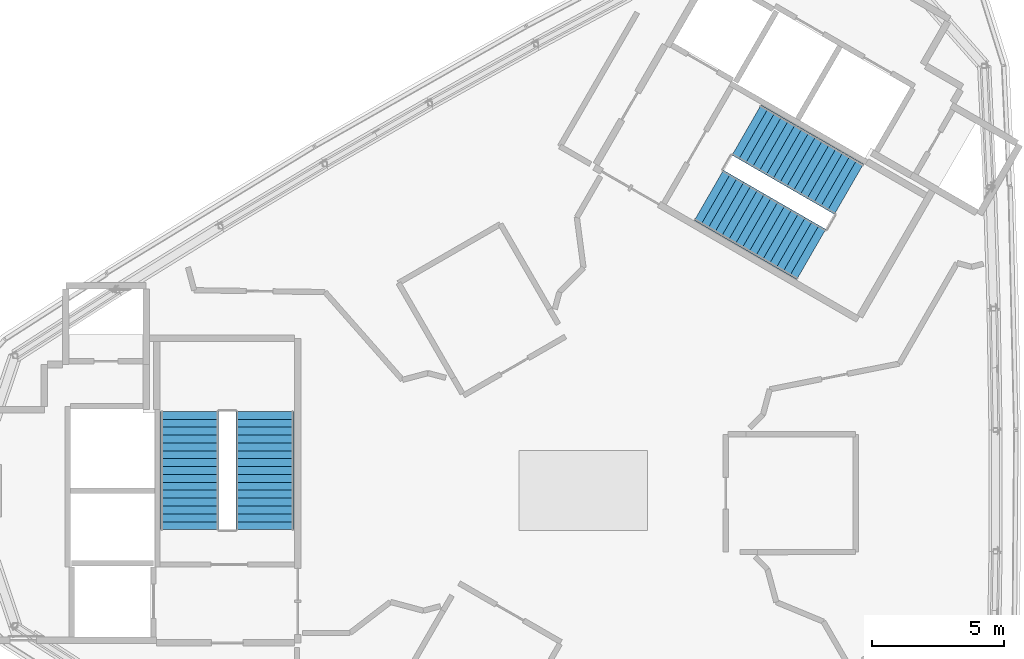
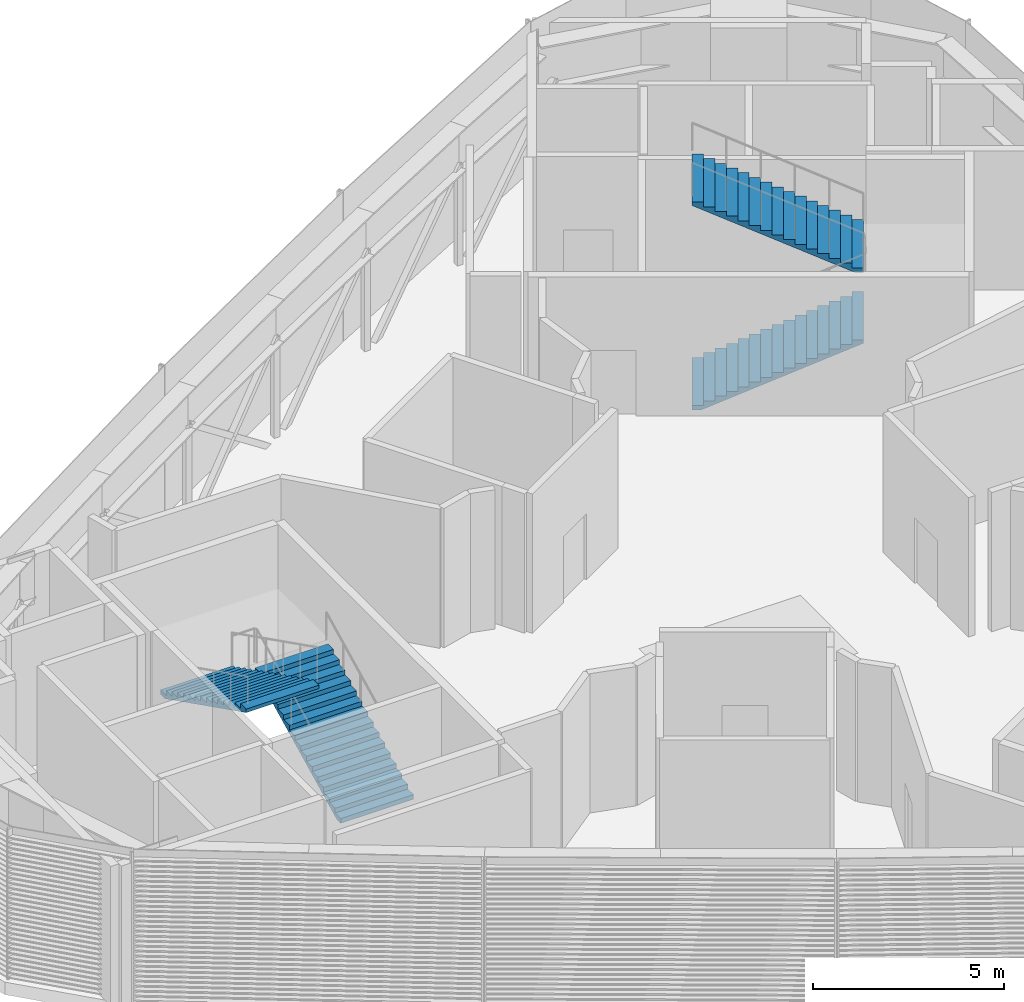
# One storey, part 18 of 21: 4 stair flights, 2 elements without a shape of their own.
"""IFC4 building model written with IfcOpenShell, lengths in metres."""

from ifc_helpers import new_model, si_unit, direction, frame, origin, place, context, subcontext, project, spatial, polyline, outline, extrude, material, type_object, element, aggregate, save


model = new_model("IFC4")

# Units and contexts
model_context = context("Model", 3, precision=1e-05, world=origin(), true_north=direction((0.0, 1.0)))
body_context = subcontext(model_context, "Body", "Model", "MODEL_VIEW")
ifc_project = project(units=[si_unit("LENGTHUNIT", "METRE"), si_unit("AREAUNIT", "SQUARE_METRE"), si_unit("VOLUMEUNIT", "CUBIC_METRE"), si_unit("PLANEANGLEUNIT", "RADIAN"), si_unit("MASSUNIT", "GRAM", prefix="KILO")], contexts=[model_context])

# Site, building, storey
site_placement = place(None, origin())
site = spatial("IfcSite", under=ifc_project, at=site_placement, CompositionType="ELEMENT")
building_placement = place(site_placement, origin())
building = spatial("IfcBuilding", under=site, at=building_placement, Name="Tamra Quay Hotel Tower", CompositionType="ELEMENT")
storey_placement = place(building_placement, frame((0.0, 0.0, 301.800048828125)))
storey = spatial("IfcBuildingStorey", under=building, at=storey_placement, Name="L76", CompositionType="ELEMENT", Elevation=301.800048828125)

# Stair, stair flights
ifc_material_1 = material(Name="Exit stair 2200 32 risers 150.0 going 299")
stair_type = type_object("IfcStairType", Name="Exit stair 2200 32 risers 150.0 going 299", PredefinedType="HALF_TURN_STAIR", material=ifc_material_1)
stair_1_placement = place(storey_placement, origin())
stair_1 = element("IfcStair", 1, at=stair_1_placement, inside=storey, type_object=stair_type, Name="L76 Exit stair ST3", PredefinedType="HALF_TURN_STAIR")
ifc_material_2 = material(Name="Exit stair flight 2200 16 risers 150.0")
stair_flight_type = type_object("IfcStairFlightType", Name="Exit stair flight 2200 16 risers 150.0", PredefinedType="STRAIGHT", material=ifc_material_2)
stair_flight_1_placement = place(storey_placement, frame((-12.082275390625, -1.47998046875, 0.0), z_axis=(0.0, 0.0, 1.0), x_axis=(0.0, 1.0, 0.0)))
stair_flight_1 = element("IfcStairFlight", 2, at=stair_flight_1_placement, type_object=stair_flight_type, Name="ST3 flight 1", NumberOfRisers=16, NumberOfTreads=15, PredefinedType="STRAIGHT", RiserHeight=0.15, TreadLength=0.299, context=body_context, shape_type="SweptSolid", body=[
    extrude(outline(polyline([(0.0, 0.0), (0.0, 0.14990234375), (0.299072265625, 0.14990234375), (0.299072265625, 0.300048828125), (0.597900390625, 0.300048828125), (0.597900390625, 0.449951171875), (0.89697265625, 0.449951171875), (0.89697265625, 0.60009765625), (1.196044921875, 0.60009765625), (1.196044921875, 0.75), (1.4951171875, 0.75), (1.4951171875, 0.89990234375), (1.7939453125, 0.89990234375), (1.7939453125, 1.050048828125), (2.093017578125, 1.050048828125), (2.093017578125, 1.199951171875), (2.39208984375, 1.199951171875), (2.39208984375, 1.35009765625), (2.69091796875, 1.35009765625), (2.69091796875, 1.5), (2.989990234375, 1.5), (2.989990234375, 1.64990234375), (3.2890625, 1.64990234375), (3.2890625, 1.800048828125), (3.587890625, 1.800048828125), (3.587890625, 1.949951171875), (3.886962890625, 1.949951171875), (3.886962890625, 2.10009765625), (4.18603515625, 2.10009765625), (4.18603515625, 2.25), (4.485107421875, 2.25), (4.485107421875, 2.39990234375), (4.485107421875, 2.137939453125), (0.22314453125, 0.0), (0.0, 0.0)])), frame((0.0, 1.10009765625, 0.0), z_axis=(0.0, -1.0, 0.0), x_axis=(1.0, 0.0, 0.0)), (0.0, 0.0, 1.0), 2.199951171875),
])
stair_flight_2_placement = place(storey_placement, frame((-14.94140625, 3.0048828125, 2.39990234375), z_axis=(0.0, 0.0, 1.0), x_axis=(0.0, -1.0, 0.0)))
stair_flight_2 = element("IfcStairFlight", 3, at=stair_flight_2_placement, type_object=stair_flight_type, Name="ST3 flight 2", NumberOfRisers=16, NumberOfTreads=15, PredefinedType="STRAIGHT", RiserHeight=0.15, TreadLength=0.299, context=body_context, shape_type="SweptSolid", body=[
    extrude(outline(polyline([(0.0, 0.0), (0.0, 0.14990234375), (0.299072265625, 0.14990234375), (0.299072265625, 0.300048828125), (0.597900390625, 0.300048828125), (0.597900390625, 0.449951171875), (0.89697265625, 0.449951171875), (0.89697265625, 0.60009765625), (1.196044921875, 0.60009765625), (1.196044921875, 0.75), (1.4951171875, 0.75), (1.4951171875, 0.89990234375), (1.7939453125, 0.89990234375), (1.7939453125, 1.050048828125), (2.093017578125, 1.050048828125), (2.093017578125, 1.199951171875), (2.39208984375, 1.199951171875), (2.39208984375, 1.35009765625), (2.69091796875, 1.35009765625), (2.69091796875, 1.5), (2.989990234375, 1.5), (2.989990234375, 1.64990234375), (3.2890625, 1.64990234375), (3.2890625, 1.800048828125), (3.587890625, 1.800048828125), (3.587890625, 1.949951171875), (3.886962890625, 1.949951171875), (3.886962890625, 2.10009765625), (4.18603515625, 2.10009765625), (4.18603515625, 2.25), (4.485107421875, 2.25), (4.485107421875, 2.39990234375), (4.485107421875, 2.137939453125), (0.22314453125, 0.0), (0.0, 0.0)])), frame((0.0, 1.10009765625, 0.0), z_axis=(0.0, -1.0, 0.0), x_axis=(1.0, 0.0, 0.0)), (0.0, 0.0, 1.0), 2.199951171875),
])
aggregate(stair_1, [stair_flight_1, stair_flight_2])

stair_2_placement = place(storey_placement, origin())
stair_2 = element("IfcStair", 4, at=stair_2_placement, inside=storey, type_object=stair_type, Name="L76 Exit stair ST1", PredefinedType="HALF_TURN_STAIR")
stair_flight_3_placement = place(storey_placement, frame((4.75927734375, 11.20361328125, 0.0), z_axis=(0.0, 0.0, 1.0), x_axis=(0.866025403784, -0.5, 0.0)))
stair_flight_3 = element("IfcStairFlight", 5, at=stair_flight_3_placement, type_object=stair_flight_type, Name="ST1 flight 1", NumberOfRisers=16, NumberOfTreads=15, PredefinedType="STRAIGHT", RiserHeight=0.15, TreadLength=0.299, context=body_context, shape_type="SweptSolid", body=[
    extrude(outline(polyline([(0.0, 0.0), (0.0, 0.14990234375), (0.299072265625, 0.14990234375), (0.299072265625, 0.300048828125), (0.597900390625, 0.300048828125), (0.597900390625, 0.449951171875), (0.89697265625, 0.449951171875), (0.89697265625, 0.60009765625), (1.196044921875, 0.60009765625), (1.196044921875, 0.75), (1.4951171875, 0.75), (1.4951171875, 0.89990234375), (1.7939453125, 0.89990234375), (1.7939453125, 1.050048828125), (2.093017578125, 1.050048828125), (2.093017578125, 1.199951171875), (2.39208984375, 1.199951171875), (2.39208984375, 1.35009765625), (2.69091796875, 1.35009765625), (2.69091796875, 1.5), (2.989990234375, 1.5), (2.989990234375, 1.64990234375), (3.2890625, 1.64990234375), (3.2890625, 1.800048828125), (3.587890625, 1.800048828125), (3.587890625, 1.949951171875), (3.886962890625, 1.949951171875), (3.886962890625, 2.10009765625), (4.18603515625, 2.10009765625), (4.18603515625, 2.25), (4.485107421875, 2.25), (4.485107421875, 2.39990234375), (4.485107421875, 2.137939453125), (0.22314453125, 0.0), (0.0, 0.0)])), frame((0.0, 1.10009765625, 0.0), z_axis=(0.0, -1.0, 0.0), x_axis=(1.0, 0.0, 0.0)), (0.0, 0.0, 1.0), 2.199951171875),
])
stair_flight_4_placement = place(storey_placement, frame((10.072998046875, 11.43701171875, 2.39990234375), z_axis=(0.0, 0.0, 1.0), x_axis=(-0.866025403784, 0.5, 0.0)))
stair_flight_4 = element("IfcStairFlight", 6, at=stair_flight_4_placement, type_object=stair_flight_type, Name="ST1 flight 2", NumberOfRisers=16, NumberOfTreads=15, PredefinedType="STRAIGHT", RiserHeight=0.15, TreadLength=0.299, context=body_context, shape_type="SweptSolid", body=[
    extrude(outline(polyline([(0.0, 0.0), (0.0, 0.14990234375), (0.299072265625, 0.14990234375), (0.299072265625, 0.300048828125), (0.597900390625, 0.300048828125), (0.597900390625, 0.449951171875), (0.89697265625, 0.449951171875), (0.89697265625, 0.60009765625), (1.196044921875, 0.60009765625), (1.196044921875, 0.75), (1.4951171875, 0.75), (1.4951171875, 0.89990234375), (1.7939453125, 0.89990234375), (1.7939453125, 1.050048828125), (2.093017578125, 1.050048828125), (2.093017578125, 1.199951171875), (2.39208984375, 1.199951171875), (2.39208984375, 1.35009765625), (2.69091796875, 1.35009765625), (2.69091796875, 1.5), (2.989990234375, 1.5), (2.989990234375, 1.64990234375), (3.2890625, 1.64990234375), (3.2890625, 1.800048828125), (3.587890625, 1.800048828125), (3.587890625, 1.949951171875), (3.886962890625, 1.949951171875), (3.886962890625, 2.10009765625), (4.18603515625, 2.10009765625), (4.18603515625, 2.25), (4.485107421875, 2.25), (4.485107421875, 2.39990234375), (4.485107421875, 2.137939453125), (0.22314453125, 0.0), (0.0, 0.0)])), frame((0.0, 1.10009765625, 0.0), z_axis=(0.0, -1.0, 0.0), x_axis=(1.0, 0.0, 0.0)), (0.0, 0.0, 1.0), 2.199951171875),
])
aggregate(stair_2, [stair_flight_3, stair_flight_4])

save(model, "model.ifc")
